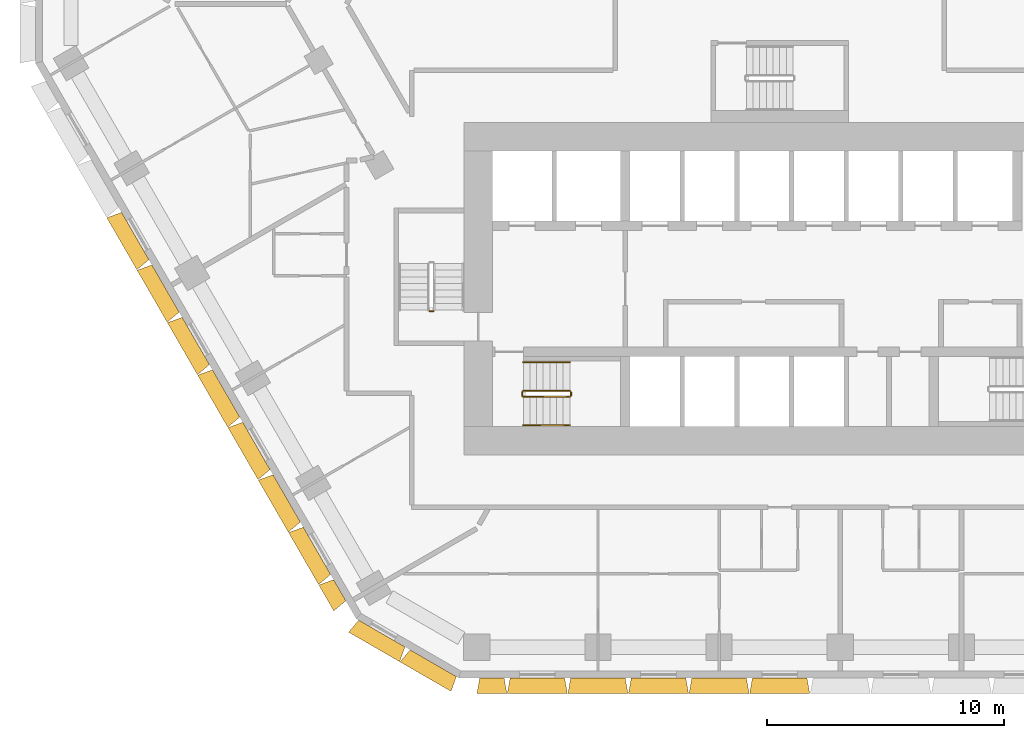
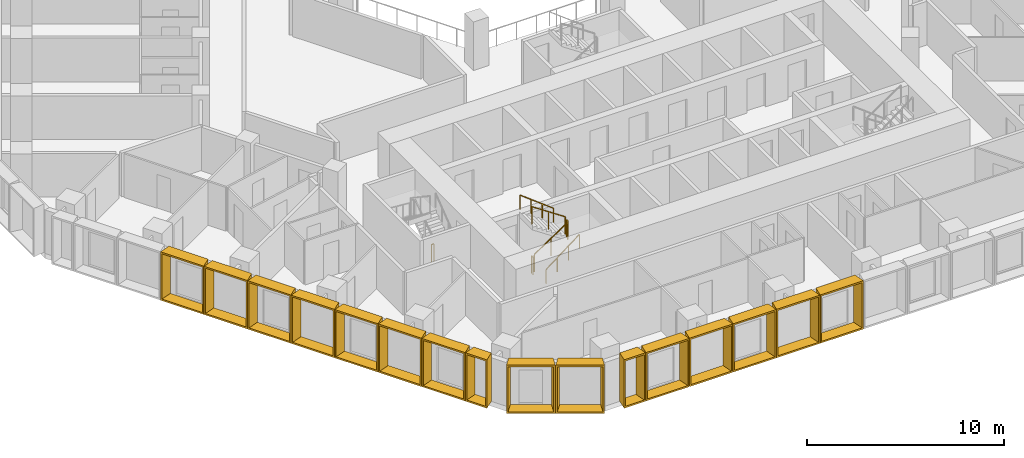
# One storey, part 13 of 16: 16 shading devices, 7 railings.
"""IFC4 building model written with IfcOpenShell, lengths in metres."""

from ifc_helpers import new_model, entity, si_unit, direction, frame, origin, origin_2d, place, context, subcontext, project, spatial, rectangle, extrude, source, transform, mapped, material, type_object, type_shapes, element, save


model = new_model("IFC4")

# Units and contexts
model_context = context("Model", 3, precision=1e-05, world=origin(), true_north=direction((0.0, 1.0)))
body_context = subcontext(model_context, "Body", "Model", "MODEL_VIEW")
ifc_project = project(units=[si_unit("LENGTHUNIT", "METRE"), si_unit("AREAUNIT", "SQUARE_METRE"), si_unit("VOLUMEUNIT", "CUBIC_METRE"), si_unit("PLANEANGLEUNIT", "RADIAN"), si_unit("MASSUNIT", "GRAM", prefix="KILO")], contexts=[model_context])

# Site, building, storey
site_placement = place(None, origin())
site = spatial("IfcSite", under=ifc_project, at=site_placement, CompositionType="ELEMENT")
building_placement = place(site_placement, origin())
building = spatial("IfcBuilding", under=site, at=building_placement, Name="Beryl Residences", CompositionType="ELEMENT")
storey_placement = place(building_placement, frame((0.0, 0.0, 26.39990234375)))
storey = spatial("IfcBuildingStorey", under=building, at=storey_placement, Name="L07", CompositionType="ELEMENT", Elevation=26.39990234375)

# Shading devices
ifc_material_1 = material(Name="Aluminium pale anodised", Category="aluminium")
shading_device_type_1 = type_object("IfcShadingDeviceType", Name="FR128-65A OUTER SKIN frame 650 mm deep, splay 10/10 deg, 1280 x 3000 mm cell", PredefinedType="USERDEFINED", material=ifc_material_1)
cartesian_point_1 = entity("IfcCartesianPoint", [-0.514892578125, 0.0])
cartesian_point_2 = entity("IfcCartesianPoint", [-0.433837890625, 0.10009765625])
cartesian_point_3 = entity("IfcCartesianPoint", [-0.629638671875, 0.0])
cartesian_point_4 = entity("IfcCartesianPoint", [-0.54833984375, 0.10009765625])
shared_shape_1 = source(origin(), body_context, "Body", "SweptSolid", [
    entity("IfcExtrudedAreaSolidTapered", entity("IfcArbitraryProfileDefWithVoids", "AREA", None, entity("IfcPolyline", [cartesian_point_1, entity("IfcCartesianPoint", [0.514892578125, 0.0]), entity("IfcCartesianPoint", [0.514892578125, 3.0]), entity("IfcCartesianPoint", [-0.514892578125, 3.0]), cartesian_point_1]), [entity("IfcPolyline", [cartesian_point_2, entity("IfcCartesianPoint", [0.433837890625, 0.10009765625]), entity("IfcCartesianPoint", [0.433837890625, 2.89990234375]), entity("IfcCartesianPoint", [-0.433837890625, 2.89990234375]), cartesian_point_2])]), entity("IfcAxis2Placement3D", entity("IfcCartesianPoint", [0.0, 0.0, 0.0]), entity("IfcDirection", [0.0, 1.0, 0.0]), entity("IfcDirection", [-1.0, 0.0, 0.0])), entity("IfcDirection", [0.0, 0.0, 1.0]), 0.64990234375, entity("IfcArbitraryProfileDefWithVoids", "AREA", None, entity("IfcPolyline", [cartesian_point_3, entity("IfcCartesianPoint", [0.629638671875, 0.0]), entity("IfcCartesianPoint", [0.629638671875, 3.0]), entity("IfcCartesianPoint", [-0.629638671875, 3.0]), cartesian_point_3]), [entity("IfcPolyline", [cartesian_point_4, entity("IfcCartesianPoint", [0.54833984375, 0.10009765625]), entity("IfcCartesianPoint", [0.54833984375, 2.89990234375]), entity("IfcCartesianPoint", [-0.54833984375, 2.89990234375]), cartesian_point_4])])),
])
type_shapes(shading_device_type_1, [shared_shape_1])
for number, where, z_axis, x_axis, name in (
    (1, (-18.533935546875, -24.698974609375, 0.0), (0.0, 0.0, 1.0), (-0.5, 0.866025403784, 0.0), "FR128-65A frame L07 SW 11"),
    (2, (-12.12109375, -28.39990234375, 0.0), (0.0, 0.0, 1.0), (-1.0, 0.0, 0.0), "FR128-65A frame L07 S 1"),
):
    element("IfcShadingDevice", number, at=place(storey_placement, frame(where, z_axis=z_axis, x_axis=x_axis)), inside=storey, type_object=shading_device_type_1, Name=name, ObjectType="OUTER SKIN", PredefinedType="USERDEFINED", context=body_context, shape_type="MappedRepresentation", body=[
        mapped(shared_shape_1, transform((0.0, 0.0, 0.0))),
    ])
ifc_material_2 = material(Name="Aluminium pale anodised", Category="aluminium")
shading_device_type_2 = type_object("IfcShadingDeviceType", Name="FR250-65A OUTER SKIN frame 650 mm deep, splay 10/10 deg, 2500 x 3000 mm cell", PredefinedType="USERDEFINED", material=ifc_material_2)
cartesian_point_5 = entity("IfcCartesianPoint", [-1.125, 0.0])
cartesian_point_6 = entity("IfcCartesianPoint", [-1.043701171875, 0.10009765625])
cartesian_point_7 = entity("IfcCartesianPoint", [-1.239501953125, 0.0])
cartesian_point_8 = entity("IfcCartesianPoint", [-1.158447265625, 0.10009765625])
shared_shape_2 = source(origin(), body_context, "Body", "SweptSolid", [
    entity("IfcExtrudedAreaSolidTapered", entity("IfcArbitraryProfileDefWithVoids", "AREA", None, entity("IfcPolyline", [cartesian_point_5, entity("IfcCartesianPoint", [1.125, 0.0]), entity("IfcCartesianPoint", [1.125, 3.0]), entity("IfcCartesianPoint", [-1.125, 3.0]), cartesian_point_5]), [entity("IfcPolyline", [cartesian_point_6, entity("IfcCartesianPoint", [1.043701171875, 0.10009765625]), entity("IfcCartesianPoint", [1.043701171875, 2.89990234375]), entity("IfcCartesianPoint", [-1.043701171875, 2.89990234375]), cartesian_point_6])]), entity("IfcAxis2Placement3D", entity("IfcCartesianPoint", [0.0, 0.0, 0.0]), entity("IfcDirection", [0.0, 1.0, 0.0]), entity("IfcDirection", [-1.0, 0.0, 0.0])), entity("IfcDirection", [0.0, 0.0, 1.0]), 0.64990234375, entity("IfcArbitraryProfileDefWithVoids", "AREA", None, entity("IfcPolyline", [cartesian_point_7, entity("IfcCartesianPoint", [1.239501953125, 0.0]), entity("IfcCartesianPoint", [1.239501953125, 3.0]), entity("IfcCartesianPoint", [-1.239501953125, 3.0]), cartesian_point_7]), [entity("IfcPolyline", [cartesian_point_8, entity("IfcCartesianPoint", [1.158447265625, 0.10009765625]), entity("IfcCartesianPoint", [1.158447265625, 2.89990234375]), entity("IfcCartesianPoint", [-1.158447265625, 2.89990234375]), cartesian_point_8])])),
])
type_shapes(shading_device_type_2, [shared_shape_2])
for number, where, z_axis, x_axis, name in (
    (3, (-16.758056640625, -26.52490234375, 0.0), (0.0, 0.0, 1.0), (-0.866025403784, 0.5, 0.0), "FR250-65A frame L07 SW-S 1"),
    (4, (-14.593017578125, -27.77490234375, 0.0), (0.0, 0.0, 1.0), (-0.866025403784, 0.5, 0.0), "FR250-65A frame L07 SW-S 2"),
):
    element("IfcShadingDevice", number, at=place(storey_placement, frame(where, z_axis=z_axis, x_axis=x_axis)), inside=storey, type_object=shading_device_type_2, Name=name, ObjectType="OUTER SKIN", PredefinedType="USERDEFINED", context=body_context, shape_type="MappedRepresentation", body=[
        mapped(shared_shape_2, transform((0.0, 0.0, 0.0))),
    ])
ifc_material_3 = material(Name="Aluminium pale anodised", Category="aluminium")
shading_device_type_3 = type_object("IfcShadingDeviceType", Name="FR255-65A OUTER SKIN frame 650 mm deep, splay 10/10 deg, 2550 x 3000 mm cell", PredefinedType="USERDEFINED", material=ifc_material_3)
cartesian_point_9 = entity("IfcCartesianPoint", [-1.14990234375, 0.0])
cartesian_point_10 = entity("IfcCartesianPoint", [-1.06884765625, 0.10009765625])
cartesian_point_11 = entity("IfcCartesianPoint", [-1.2646484375, 0.0])
cartesian_point_12 = entity("IfcCartesianPoint", [-1.183349609375, 0.10009765625])
shared_shape_3 = source(origin(), body_context, "Body", "SweptSolid", [
    entity("IfcExtrudedAreaSolidTapered", entity("IfcArbitraryProfileDefWithVoids", "AREA", None, entity("IfcPolyline", [cartesian_point_9, entity("IfcCartesianPoint", [1.14990234375, 0.0]), entity("IfcCartesianPoint", [1.14990234375, 3.0]), entity("IfcCartesianPoint", [-1.14990234375, 3.0]), cartesian_point_9]), [entity("IfcPolyline", [cartesian_point_10, entity("IfcCartesianPoint", [1.06884765625, 0.10009765625]), entity("IfcCartesianPoint", [1.06884765625, 2.89990234375]), entity("IfcCartesianPoint", [-1.06884765625, 2.89990234375]), cartesian_point_10])]), entity("IfcAxis2Placement3D", entity("IfcCartesianPoint", [0.0, 0.0, 0.0]), entity("IfcDirection", [0.0, 1.0, 0.0]), entity("IfcDirection", [-1.0, 0.0, 0.0])), entity("IfcDirection", [0.0, 0.0, 1.0]), 0.64990234375, entity("IfcArbitraryProfileDefWithVoids", "AREA", None, entity("IfcPolyline", [cartesian_point_11, entity("IfcCartesianPoint", [1.2646484375, 0.0]), entity("IfcCartesianPoint", [1.2646484375, 3.0]), entity("IfcCartesianPoint", [-1.2646484375, 3.0]), cartesian_point_11]), [entity("IfcPolyline", [cartesian_point_12, entity("IfcCartesianPoint", [1.183349609375, 0.10009765625]), entity("IfcCartesianPoint", [1.183349609375, 2.89990234375]), entity("IfcCartesianPoint", [-1.183349609375, 2.89990234375]), cartesian_point_12])])),
])
type_shapes(shading_device_type_3, [shared_shape_3])
for number, where, z_axis, x_axis, name in (
    (5, (-27.14599609375, -9.781005859375, 0.0), (0.0, 0.0, 1.0), (-0.5, 0.866025403784, 0.0), "FR255-65A frame L07 SW 4"),
    (6, (-25.8701171875, -11.990966796875, 0.0), (0.0, 0.0, 1.0), (-0.5, 0.866025403784, 0.0), "FR255-65A frame L07 SW 5"),
    (7, (-24.594970703125, -14.200927734375, 0.0), (0.0, 0.0, 1.0), (-0.5, 0.866025403784, 0.0), "FR255-65A frame L07 SW 6"),
    (8, (-23.319091796875, -16.410888671875, 0.0), (0.0, 0.0, 1.0), (-0.5, 0.866025403784, 0.0), "FR255-65A frame L07 SW 7"),
    (9, (-22.04296875, -18.62109375, 0.0), (0.0, 0.0, 1.0), (-0.5, 0.866025403784, 0.0), "FR255-65A frame L07 SW 8"),
    (10, (-20.76708984375, -20.8310546875, 0.0), (0.0, 0.0, 1.0), (-0.5, 0.866025403784, 0.0), "FR255-65A frame L07 SW 9"),
    (11, (-19.490966796875, -23.041015625, 0.0), (0.0, 0.0, 1.0), (-0.5, 0.866025403784, 0.0), "FR255-65A frame L07 SW 10"),
    (12, (-10.20703125, -28.39990234375, 0.0), (0.0, 0.0, 1.0), (-1.0, 0.0, 0.0), "FR255-65A frame L07 S 2"),
    (13, (-7.655029296875, -28.39990234375, 0.0), (0.0, 0.0, 1.0), (-1.0, 0.0, 0.0), "FR255-65A frame L07 S 3"),
    (14, (-5.10302734375, -28.39990234375, 0.0), (0.0, 0.0, 1.0), (-1.0, 0.0, 0.0), "FR255-65A frame L07 S 4"),
    (15, (-2.551025390625, -28.39990234375, 0.0), (0.0, 0.0, 1.0), (-1.0, 0.0, 0.0), "FR255-65A frame L07 S 5"),
    (16, (0.0009765625, -28.39990234375, 0.0), (0.0, 0.0, 1.0), (-1.0, 0.0, 0.0), "FR255-65A frame L07 S 6"),
):
    element("IfcShadingDevice", number, at=place(storey_placement, frame(where, z_axis=z_axis, x_axis=x_axis)), inside=storey, type_object=shading_device_type_3, Name=name, ObjectType="OUTER SKIN", PredefinedType="USERDEFINED", context=body_context, shape_type="MappedRepresentation", body=[
        mapped(shared_shape_3, transform((0.0, 0.0, 0.0))),
    ])

# Railings
ifc_material_4 = material(Name="Stainless steel balustrade with glass infill", Category="steel")
railing_type_1 = type_object("IfcRailingType", Name="SG1 stair guard 1100 mm", PredefinedType="GUARDRAIL", material=ifc_material_4)
railing_1_placement = place(storey_placement, frame((-10.800048828125, -16.550048828125, 0.1875)))
element("IfcRailing", 17, at=railing_1_placement, inside=storey, type_object=railing_type_1, Name="L07 ST-1 stair guard 1", PredefinedType="GUARDRAIL", context=body_context, shape_type="SweptSolid", body=[
    extrude(rectangle(XDim=0.048095703125, YDim=0.048095703125, at=origin_2d()), frame((0.0, 0.0, 1.076171875), z_axis=(0.830902050051, 0.0, 0.556418712142), x_axis=(0.0, 1.0, 0.0)), (0.0, 0.0, 1.0), 2.35888671875),
    extrude(rectangle(XDim=0.0419921875, YDim=0.0419921875, at=origin_2d()), origin(), (0.0, 0.0, 1.0), 1.052001953125),
    extrude(rectangle(XDim=0.0419921875, YDim=0.0419921875, at=origin_2d()), frame((0.97998046875, 0.0, 0.65625)), (0.0, 0.0, 1.0), 1.052001953125),
    extrude(rectangle(XDim=0.0419921875, YDim=0.0419921875, at=origin_2d()), frame((1.9599609375, 0.0, 1.3125)), (0.0, 0.0, 1.0), 1.052001953125),
])
railing_2_placement = place(storey_placement, frame((-8.7900390625, -16.5, 1.5)))
element("IfcRailing", 18, at=railing_2_placement, inside=storey, type_object=railing_type_1, Name="L07 ST-1 stair guard 2", PredefinedType="GUARDRAIL", context=body_context, shape_type="SweptSolid", body=[
    extrude(rectangle(XDim=0.048095703125, YDim=0.048095703125, at=origin_2d()), frame((0.0, 0.0, 1.076171875), z_axis=(0.0, 1.0, 0.0), x_axis=(-1.0, 0.0, 0.0)), (0.0, 0.0, 1.0), 0.14990234375),
    extrude(rectangle(XDim=0.0419921875, YDim=0.0419921875, at=origin_2d()), origin(), (0.0, 0.0, 1.0), 1.052001953125),
    extrude(rectangle(XDim=0.0419921875, YDim=0.0419921875, at=origin_2d()), frame((0.0, 0.14990234375, 0.0)), (0.0, 0.0, 1.0), 1.052001953125),
])
railing_3_placement = place(storey_placement, frame((-8.840087890625, -16.300048828125, 1.6875)))
element("IfcRailing", 19, at=railing_3_placement, inside=storey, type_object=railing_type_1, Name="L07 ST-1 stair guard 3", PredefinedType="GUARDRAIL", context=body_context, shape_type="SweptSolid", body=[
    extrude(rectangle(XDim=0.048095703125, YDim=0.048095703125, at=origin_2d()), frame((0.0, 0.0, 1.076171875), z_axis=(-0.830902050051, 0.0, 0.556418712142), x_axis=(0.0, -1.0, 0.0)), (0.0, 0.0, 1.0), 2.35888671875),
    extrude(rectangle(XDim=0.0419921875, YDim=0.0419921875, at=origin_2d()), origin(), (0.0, 0.0, 1.0), 1.052001953125),
    extrude(rectangle(XDim=0.0419921875, YDim=0.0419921875, at=origin_2d()), frame((-0.97998046875, 0.0, 0.65625)), (0.0, 0.0, 1.0), 1.052001953125),
    extrude(rectangle(XDim=0.0419921875, YDim=0.0419921875, at=origin_2d()), frame((-1.9599609375, 0.0, 1.3125)), (0.0, 0.0, 1.0), 1.052001953125),
])
railing_4_placement = place(storey_placement, frame((-10.85009765625, -16.5, 0.0)))
element("IfcRailing", 20, at=railing_4_placement, inside=storey, type_object=railing_type_1, Name="L07 ST-1 stair guard 4", PredefinedType="GUARDRAIL", context=body_context, shape_type="SweptSolid", body=[
    extrude(rectangle(XDim=0.048095703125, YDim=0.048095703125, at=origin_2d()), frame((0.0, 0.0, 1.076171875), z_axis=(0.0, 1.0, 0.0), x_axis=(-1.0, 0.0, 0.0)), (0.0, 0.0, 1.0), 0.14990234375),
    extrude(rectangle(XDim=0.0419921875, YDim=0.0419921875, at=origin_2d()), origin(), (0.0, 0.0, 1.0), 1.052001953125),
    extrude(rectangle(XDim=0.0419921875, YDim=0.0419921875, at=origin_2d()), frame((0.0, 0.14990234375, 0.0)), (0.0, 0.0, 1.0), 1.052001953125),
])
railing_5_placement = place(storey_placement, frame((-14.60009765625, -12.949951171875, 0.0)))
element("IfcRailing", 21, at=railing_5_placement, inside=storey, type_object=railing_type_1, Name="L07 ST-2 stair guard 4", PredefinedType="GUARDRAIL", context=body_context, shape_type="SweptSolid", body=[
    extrude(rectangle(XDim=0.048095703125, YDim=0.048095703125, at=origin_2d()), frame((0.0, 0.0, 1.076171875), z_axis=(-1.0, 0.0, 0.0), x_axis=(0.0, -1.0, 0.0)), (0.0, 0.0, 1.0), 0.14990234375),
    extrude(rectangle(XDim=0.0419921875, YDim=0.0419921875, at=origin_2d()), origin(), (0.0, 0.0, 1.0), 1.052001953125),
    extrude(rectangle(XDim=0.0419921875, YDim=0.0419921875, at=origin_2d()), frame((-0.14990234375, 0.0, 0.0)), (0.0, 0.0, 1.0), 1.052001953125),
])
ifc_material_5 = material(Name="Stainless steel handrail", Category="steel")
railing_type_2 = type_object("IfcRailingType", Name="SRL1 stair handrail 900 mm", PredefinedType="HANDRAIL", material=ifc_material_5)
railing_6_placement = place(storey_placement, frame((-10.800048828125, -17.75, 0.1875)))
element("IfcRailing", 22, at=railing_6_placement, inside=storey, type_object=railing_type_2, Name="L07 ST-1 stair handrail 1", PredefinedType="HANDRAIL", context=body_context, shape_type="SweptSolid", body=[
    extrude(rectangle(XDim=0.048095703125, YDim=0.048095703125, at=origin_2d()), frame((0.0, 0.0, 0.8759765625), z_axis=(0.794121922505, 0.0, 0.607758481798), x_axis=(0.0, 1.0, 0.0)), (0.0, 0.0, 1.0), 2.468017578125),
    extrude(rectangle(XDim=0.0419921875, YDim=0.0419921875, at=origin_2d()), origin(), (0.0, 0.0, 1.0), 0.851806640625),
    extrude(rectangle(XDim=0.0419921875, YDim=0.0419921875, at=origin_2d()), frame((0.6533203125, 0.0, 0.5)), (0.0, 0.0, 1.0), 0.851806640625),
    extrude(rectangle(XDim=0.0419921875, YDim=0.0419921875, at=origin_2d()), frame((1.306640625, 0.0, 1.0)), (0.0, 0.0, 1.0), 0.851806640625),
    extrude(rectangle(XDim=0.0419921875, YDim=0.0419921875, at=origin_2d()), frame((1.9599609375, 0.0, 1.5)), (0.0, 0.0, 1.0), 0.851806640625),
])
railing_7_placement = place(storey_placement, frame((-8.840087890625, -15.10009765625, 1.6875)))
element("IfcRailing", 23, at=railing_7_placement, inside=storey, type_object=railing_type_2, Name="L07 ST-1 stair handrail 2", PredefinedType="HANDRAIL", context=body_context, shape_type="SweptSolid", body=[
    extrude(rectangle(XDim=0.048095703125, YDim=0.048095703125, at=origin_2d()), frame((0.0, 0.0, 0.8759765625), z_axis=(-0.794121922505, 0.0, 0.607758481798), x_axis=(0.0, -1.0, 0.0)), (0.0, 0.0, 1.0), 2.468017578125),
    extrude(rectangle(XDim=0.0419921875, YDim=0.0419921875, at=origin_2d()), origin(), (0.0, 0.0, 1.0), 0.851806640625),
    extrude(rectangle(XDim=0.0419921875, YDim=0.0419921875, at=origin_2d()), frame((-0.6533203125, 0.0, 0.5)), (0.0, 0.0, 1.0), 0.851806640625),
    extrude(rectangle(XDim=0.0419921875, YDim=0.0419921875, at=origin_2d()), frame((-1.306640625, 0.0, 1.0)), (0.0, 0.0, 1.0), 0.851806640625),
    extrude(rectangle(XDim=0.0419921875, YDim=0.0419921875, at=origin_2d()), frame((-1.9599609375, 0.0, 1.5)), (0.0, 0.0, 1.0), 0.851806640625),
])

save(model, "model.ifc")
